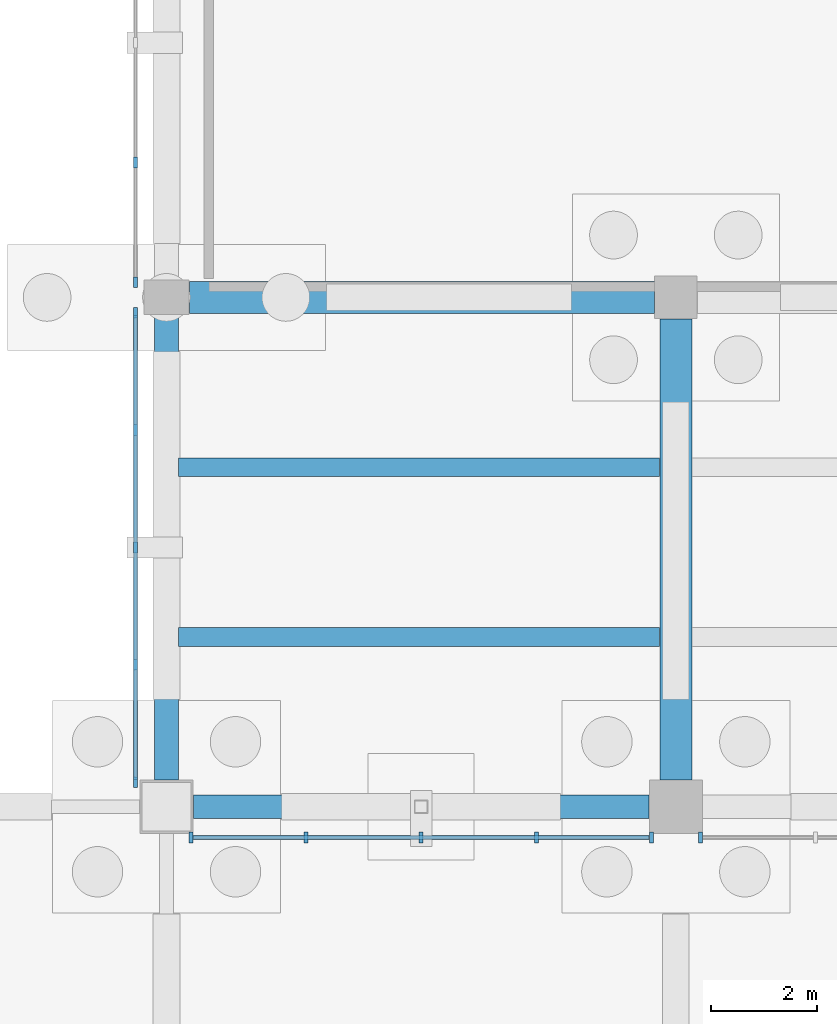
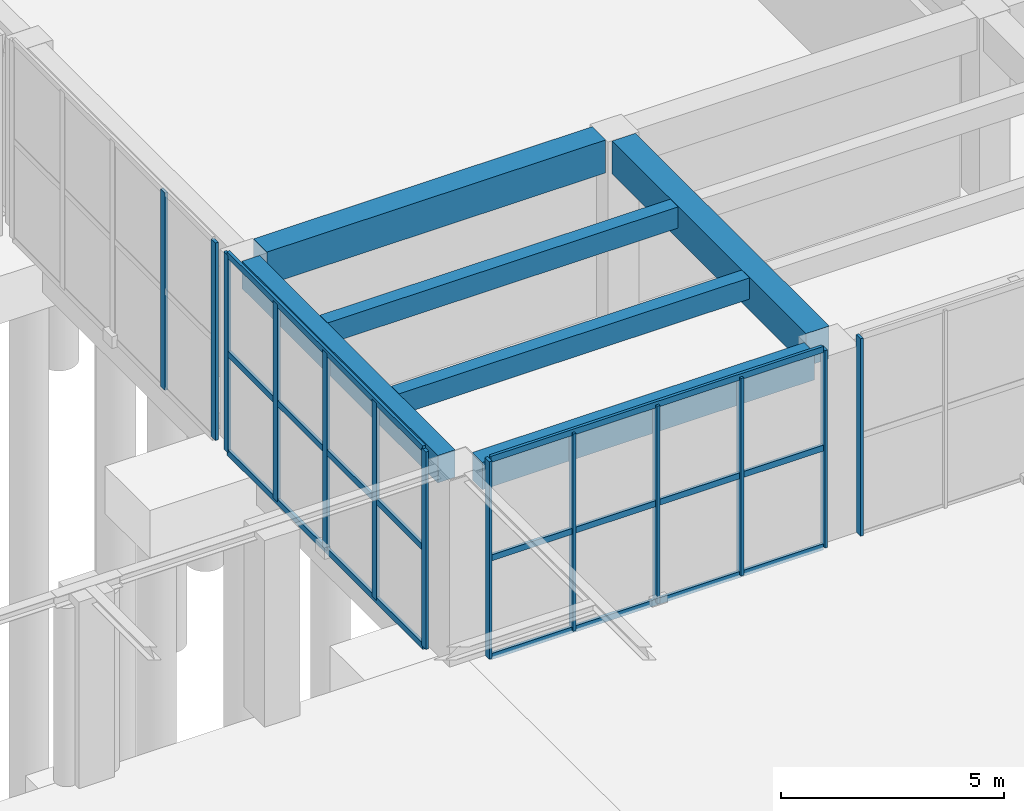
# One storey, part 12 of 51: 19 members, 6 beams, 4 elements without a shape of their own.
"""IFC4 building model written with IfcOpenShell, lengths in metres."""

from ifc_helpers import new_model, si_unit, direction, frame, origin, origin_2d, place, context, subcontext, project, spatial, rectangle, extrude, material, layer, layer_set, material_profile, profile_set, type_object, element, aggregate, save


model = new_model("IFC4")

# Units and contexts
model_context = context("Model", 3, precision=1e-05, world=origin(), true_north=direction((0.0, 1.0)))
body_context = subcontext(model_context, "Body", "Model", "MODEL_VIEW")
ifc_project = project(units=[si_unit("LENGTHUNIT", "METRE"), si_unit("AREAUNIT", "SQUARE_METRE"), si_unit("VOLUMEUNIT", "CUBIC_METRE"), si_unit("PLANEANGLEUNIT", "RADIAN"), si_unit("MASSUNIT", "GRAM", prefix="KILO")], contexts=[model_context])

# Site, building, storey
site_placement = place(None, origin())
site = spatial("IfcSite", under=ifc_project, at=site_placement, CompositionType="ELEMENT")
building_placement = place(site_placement, origin())
building = spatial("IfcBuilding", under=site, at=building_placement, Name="Bempovik Park Faculty of Sciences", CompositionType="ELEMENT")
storey_placement = place(building_placement, origin())
storey = spatial("IfcBuildingStorey", under=building, at=storey_placement, Name="L00", CompositionType="ELEMENT", Elevation=0.0)

# Beams
ifc_material_1 = material(Name="Concrete C35/45", Category="concrete")
ifc_material_profile_1 = material_profile(ifc_material_1, rectangle(XDim=0.35009765625, YDim=0.580078125, at=origin_2d()), Name="RC 350x580")
ifc_profile_set_1 = profile_set([ifc_material_profile_1], Name="Concrete C35/45")
beam_type_1 = type_object("IfcBeamType", Name="B-107 RC 350x580", PredefinedType="JOIST", material=ifc_profile_set_1)
for number, where, z_axis, x_axis, name in (
    (1, (60.23095703125, 23.0, 4.7900390625), (1.0, 0.0, 0.0), (0.0, 1.0, 0.0), "L00 Secondary Joist (60.0-69.6, y=23.00)"),
    (2, (60.23095703125, 26.199951171875, 4.7900390625), (1.0, 0.0, 0.0), (0.0, 1.0, 0.0), "L00 Secondary Joist (60.0-69.6, y=26.20)"),
):
    element("IfcBeam", number, at=place(storey_placement, frame(where, z_axis=z_axis, x_axis=x_axis)), inside=storey, type_object=beam_type_1, Name=name, PredefinedType="JOIST", context=body_context, shape_type="SweptSolid", body=[
        extrude(rectangle(XDim=0.35009765625, YDim=0.580078125, at=origin_2d()), origin(), (0.0, 0.0, 1.0), 9.06298828125),
    ])
ifc_material_2 = material(Name="Concrete C40/50", Category="concrete")
ifc_material_profile_2 = material_profile(ifc_material_2, rectangle(XDim=0.60009765625, YDim=0.89990234375, at=origin_2d()), Name="RC 600x900")
ifc_profile_set_2 = profile_set([ifc_material_profile_2], Name="Concrete C40/50")
beam_type_2 = type_object("IfcBeamType", Name="B-115 RC 600x900", PredefinedType="BEAM", material=ifc_profile_set_2)
beam_1_placement = place(storey_placement, frame((60.430908203125, 29.39990234375, 4.6298828125), z_axis=(1.0, 0.0, 0.0), x_axis=(0.0, 1.0, 0.0)))
element("IfcBeam", 3, at=beam_1_placement, inside=storey, type_object=beam_type_2, Name="L00 Beam X (60.0-69.6, y=29.4)", PredefinedType="BEAM", context=body_context, shape_type="SweptSolid", body=[
    extrude(rectangle(XDim=0.60009765625, YDim=0.89990234375, at=origin_2d()), origin(), (0.0, 0.0, 1.0), 8.76318359375),
])
beam_2_placement = place(storey_placement, frame((69.60009765625, 20.305908203125, 4.6298828125), z_axis=(0.0, 1.0, 0.0), x_axis=(-1.0, 0.0, 0.0)))
element("IfcBeam", 4, at=beam_2_placement, inside=storey, type_object=beam_type_2, Name="L00 Beam Y (x=69.6, 19.8-29.4)", PredefinedType="BEAM", context=body_context, shape_type="SweptSolid", body=[
    extrude(rectangle(XDim=0.60009765625, YDim=0.89990234375, at=origin_2d()), origin(), (0.0, 0.0, 1.0), 8.68798828125),
])
ifc_material_profile_3 = material_profile(ifc_material_2, rectangle(XDim=0.449951171875, YDim=0.75, at=origin_2d()), Name="RC 450x750")
ifc_profile_set_3 = profile_set([ifc_material_profile_3], Name="Concrete C40/50")
beam_type_3 = type_object("IfcBeamType", Name="B-130 RC 450x750", PredefinedType="SPANDREL", material=ifc_profile_set_3)
beam_3_placement = place(storey_placement, frame((60.506103515625, 19.800048828125, 4.705078125), z_axis=(1.0, 0.0, 0.0), x_axis=(0.0, 1.0, 0.0)))
element("IfcBeam", 5, at=beam_3_placement, inside=storey, type_object=beam_type_3, Name="L00 Beam X (60.0-69.6, y=19.8)", PredefinedType="SPANDREL", context=body_context, shape_type="SweptSolid", body=[
    extrude(rectangle(XDim=0.449951171875, YDim=0.75, at=origin_2d()), origin(), (0.0, 0.0, 1.0), 8.587890625),
])
beam_4_placement = place(storey_placement, frame((60.0, 20.305908203125, 4.705078125), z_axis=(0.0, 1.0, 0.0), x_axis=(-1.0, 0.0, 0.0)))
element("IfcBeam", 6, at=beam_4_placement, inside=storey, type_object=beam_type_3, Name="L00 Beam Y (x=60.0, 19.8-29.4)", PredefinedType="SPANDREL", context=body_context, shape_type="SweptSolid", body=[
    extrude(rectangle(XDim=0.449951171875, YDim=0.75, at=origin_2d()), origin(), (0.0, 0.0, 1.0), 8.76318359375),
])

# Curtain wall, members
ifc_material_3 = material(Name="Tempered laminated low-E glass", Category="glass")
ifc_layer = layer(ifc_material_3, 0.159912109375)
ifc_layer_set = layer_set([ifc_layer], Name="Tempered laminated low-E glass")
curtain_wall_type = type_object("IfcCurtainWallType", Name="CW-57 Curtain 7200x5100", PredefinedType="USERDEFINED", material=ifc_layer_set)
curtain_wall_1_placement = place(storey_placement, origin())
curtain_wall_1 = element("IfcCurtainWall", 7, at=curtain_wall_1_placement, inside=storey, type_object=curtain_wall_type, Name="L00 Recessed Entrance Foyer Curtain Wall (60.0-69.6)", ObjectType="UNITISED CURTAIN WALL", PredefinedType="USERDEFINED")
ifc_material_4 = material(Name="Anodised architectural bronze", Category="aluminium")
ifc_material_profile_4 = material_profile(ifc_material_4, rectangle(XDim=0.074951171875, YDim=0.199951171875, at=origin_2d()), Name="ALU-M 75x200")
ifc_profile_set_4 = profile_set([ifc_material_profile_4], Name="Anodised architectural bronze")
member_type_1 = type_object("IfcMemberType", Name="ML-17 ALU-M 75x200", PredefinedType="MULLION", material=ifc_profile_set_4)
member_1_placement = place(storey_placement, frame((60.4619140625, 19.219970703125, 0.0), z_axis=(0.0, 0.0, 1.0), x_axis=(1.0, 0.0, 0.0)))
member_1 = element("IfcMember", 8, at=member_1_placement, type_object=member_type_1, Name="CW-FOY-L00-198-600 Mullion 0", PredefinedType="MULLION", context=body_context, shape_type="SweptSolid", body=[
    extrude(rectangle(XDim=0.074951171875, YDim=0.199951171875, at=origin_2d()), origin(), (0.0, 0.0, 1.0), 5.39990234375),
])
member_2_placement = place(storey_placement, frame((62.631103515625, 19.219970703125, 0.0), z_axis=(0.0, 0.0, 1.0), x_axis=(1.0, 0.0, 0.0)))
member_2 = element("IfcMember", 9, at=member_2_placement, type_object=member_type_1, Name="CW-FOY-L00-198-600 Mullion 1", PredefinedType="MULLION", context=body_context, shape_type="SweptSolid", body=[
    extrude(rectangle(XDim=0.074951171875, YDim=0.199951171875, at=origin_2d()), origin(), (0.0, 0.0, 1.0), 5.39990234375),
])
member_3_placement = place(storey_placement, frame((64.800048828125, 19.219970703125, 0.0), z_axis=(0.0, 0.0, 1.0), x_axis=(1.0, 0.0, 0.0)))
member_3 = element("IfcMember", 10, at=member_3_placement, type_object=member_type_1, Name="CW-FOY-L00-198-600 Mullion 2", PredefinedType="MULLION", context=body_context, shape_type="SweptSolid", body=[
    extrude(rectangle(XDim=0.074951171875, YDim=0.199951171875, at=origin_2d()), origin(), (0.0, 0.0, 1.0), 5.39990234375),
])
member_4_placement = place(storey_placement, frame((66.968994140625, 19.219970703125, 0.0), z_axis=(0.0, 0.0, 1.0), x_axis=(1.0, 0.0, 0.0)))
member_4 = element("IfcMember", 11, at=member_4_placement, type_object=member_type_1, Name="CW-FOY-L00-198-600 Mullion 3", PredefinedType="MULLION", context=body_context, shape_type="SweptSolid", body=[
    extrude(rectangle(XDim=0.074951171875, YDim=0.199951171875, at=origin_2d()), origin(), (0.0, 0.0, 1.0), 5.39990234375),
])
member_5_placement = place(storey_placement, frame((69.137939453125, 19.219970703125, 0.0), z_axis=(0.0, 0.0, 1.0), x_axis=(1.0, 0.0, 0.0)))
member_5 = element("IfcMember", 12, at=member_5_placement, type_object=member_type_1, Name="CW-FOY-L00-198-600 Mullion 4", PredefinedType="MULLION", context=body_context, shape_type="SweptSolid", body=[
    extrude(rectangle(XDim=0.074951171875, YDim=0.199951171875, at=origin_2d()), origin(), (0.0, 0.0, 1.0), 5.39990234375),
])

# Curtain wall, member
curtain_wall_2_placement = place(storey_placement, origin())
curtain_wall_2 = element("IfcCurtainWall", 13, at=curtain_wall_2_placement, inside=storey, type_object=curtain_wall_type, Name="L00 Recessed Entrance Foyer Curtain Wall (69.6-79.2)", ObjectType="UNITISED CURTAIN WALL", PredefinedType="USERDEFINED")
member_6_placement = place(storey_placement, frame((70.06201171875, 19.219970703125, 0.0), z_axis=(0.0, 0.0, 1.0), x_axis=(1.0, 0.0, 0.0)))
member_6 = element("IfcMember", 14, at=member_6_placement, type_object=member_type_1, Name="CW-FOY-L00-198-696 Mullion 0", PredefinedType="MULLION", context=body_context, shape_type="SweptSolid", body=[
    extrude(rectangle(XDim=0.074951171875, YDim=0.199951171875, at=origin_2d()), origin(), (0.0, 0.0, 1.0), 5.39990234375),
])
aggregate(curtain_wall_2, [member_6])

# Curtain wall, members
curtain_wall_3_placement = place(storey_placement, origin())
curtain_wall_3 = element("IfcCurtainWall", 15, at=curtain_wall_3_placement, inside=storey, type_object=curtain_wall_type, Name="L00 Recessed Entrance Foyer Curtain Wall (19.8-29.4)", ObjectType="UNITISED CURTAIN WALL", PredefinedType="USERDEFINED")
member_7_placement = place(storey_placement, frame((59.419921875, 20.261962890625, 0.0), z_axis=(0.0, 0.0, 1.0), x_axis=(1.0, 0.0, 0.0)))
member_7 = element("IfcMember", 16, at=member_7_placement, type_object=member_type_1, Name="CW-FOY-L00-600-198 Mullion 0", PredefinedType="MULLION", context=body_context, shape_type="SweptSolid", body=[
    extrude(rectangle(XDim=0.074951171875, YDim=0.199951171875, at=origin_2d()), origin(), (0.0, 0.0, 1.0), 5.39990234375),
])
member_8_placement = place(storey_placement, frame((59.419921875, 22.474853515625, 0.0), z_axis=(0.0, 0.0, 1.0), x_axis=(1.0, 0.0, 0.0)))
member_8 = element("IfcMember", 17, at=member_8_placement, type_object=member_type_1, Name="CW-FOY-L00-600-198 Mullion 1", PredefinedType="MULLION", context=body_context, shape_type="SweptSolid", body=[
    extrude(rectangle(XDim=0.074951171875, YDim=0.199951171875, at=origin_2d()), origin(), (0.0, 0.0, 1.0), 5.39990234375),
])
member_9_placement = place(storey_placement, frame((59.419921875, 24.6875, 0.0), z_axis=(0.0, 0.0, 1.0), x_axis=(1.0, 0.0, 0.0)))
member_9 = element("IfcMember", 18, at=member_9_placement, type_object=member_type_1, Name="CW-FOY-L00-600-198 Mullion 2", PredefinedType="MULLION", context=body_context, shape_type="SweptSolid", body=[
    extrude(rectangle(XDim=0.074951171875, YDim=0.199951171875, at=origin_2d()), origin(), (0.0, 0.0, 1.0), 5.39990234375),
])
member_10_placement = place(storey_placement, frame((59.419921875, 26.900146484375, 0.0), z_axis=(0.0, 0.0, 1.0), x_axis=(1.0, 0.0, 0.0)))
member_10 = element("IfcMember", 19, at=member_10_placement, type_object=member_type_1, Name="CW-FOY-L00-600-198 Mullion 3", PredefinedType="MULLION", context=body_context, shape_type="SweptSolid", body=[
    extrude(rectangle(XDim=0.074951171875, YDim=0.199951171875, at=origin_2d()), origin(), (0.0, 0.0, 1.0), 5.39990234375),
])
member_11_placement = place(storey_placement, frame((59.419921875, 29.113037109375, 0.0), z_axis=(0.0, 0.0, 1.0), x_axis=(1.0, 0.0, 0.0)))
member_11 = element("IfcMember", 20, at=member_11_placement, type_object=member_type_1, Name="CW-FOY-L00-600-198 Mullion 4", PredefinedType="MULLION", context=body_context, shape_type="SweptSolid", body=[
    extrude(rectangle(XDim=0.074951171875, YDim=0.199951171875, at=origin_2d()), origin(), (0.0, 0.0, 1.0), 5.39990234375),
])

curtain_wall_4_placement = place(storey_placement, origin())
curtain_wall_4 = element("IfcCurtainWall", 21, at=curtain_wall_4_placement, inside=storey, type_object=curtain_wall_type, Name="L00 Recessed Entrance Foyer Curtain Wall (29.4-39.0)", ObjectType="UNITISED CURTAIN WALL", PredefinedType="USERDEFINED")
member_12_placement = place(storey_placement, frame((59.419921875, 29.68701171875, 0.0), z_axis=(0.0, 0.0, 1.0), x_axis=(1.0, 0.0, 0.0)))
member_12 = element("IfcMember", 22, at=member_12_placement, type_object=member_type_1, Name="CW-FOY-L00-600-294 Mullion 0", PredefinedType="MULLION", context=body_context, shape_type="SweptSolid", body=[
    extrude(rectangle(XDim=0.074951171875, YDim=0.199951171875, at=origin_2d()), origin(), (0.0, 0.0, 1.0), 5.39990234375),
])
member_13_placement = place(storey_placement, frame((59.419921875, 31.943603515625, 0.0), z_axis=(0.0, 0.0, 1.0), x_axis=(1.0, 0.0, 0.0)))
member_13 = element("IfcMember", 23, at=member_13_placement, type_object=member_type_1, Name="CW-FOY-L00-600-294 Mullion 1", PredefinedType="MULLION", context=body_context, shape_type="SweptSolid", body=[
    extrude(rectangle(XDim=0.074951171875, YDim=0.199951171875, at=origin_2d()), origin(), (0.0, 0.0, 1.0), 5.39990234375),
])
aggregate(curtain_wall_4, [member_12, member_13])

# Member
ifc_material_profile_5 = material_profile(ifc_material_4, rectangle(XDim=0.074951171875, YDim=0.1650390625, at=origin_2d()), Name="ALU-T 75x165")
ifc_profile_set_5 = profile_set([ifc_material_profile_5], Name="Anodised architectural bronze")
member_type_2 = type_object("IfcMemberType", Name="TR-15 ALU-T 75x165", PredefinedType="USERDEFINED", material=ifc_profile_set_5)
member_14_placement = place(storey_placement, frame((60.501953125, 19.219970703125, 0.0), z_axis=(1.0, 0.0, 0.0), x_axis=(0.0, 1.0, 0.0)))
member_14 = element("IfcMember", 24, at=member_14_placement, type_object=member_type_2, Name="CW-FOY-L00-198-600 Transom 0", ObjectType="TRANSOM", PredefinedType="USERDEFINED", context=body_context, shape_type="SweptSolid", body=[
    extrude(rectangle(XDim=0.074951171875, YDim=0.1650390625, at=origin_2d()), origin(), (0.0, 0.0, 1.0), 8.595947265625),
])

member_15_placement = place(storey_placement, frame((60.501953125, 19.219970703125, 2.699951171875), z_axis=(1.0, 0.0, 0.0), x_axis=(0.0, 1.0, 0.0)))
member_15 = element("IfcMember", 25, at=member_15_placement, type_object=member_type_2, Name="CW-FOY-L00-198-600 Transom 1", ObjectType="TRANSOM", PredefinedType="USERDEFINED", context=body_context, shape_type="SweptSolid", body=[
    extrude(rectangle(XDim=0.074951171875, YDim=0.1650390625, at=origin_2d()), origin(), (0.0, 0.0, 1.0), 8.595947265625),
])

member_16_placement = place(storey_placement, frame((60.501953125, 19.219970703125, 5.39990234375), z_axis=(1.0, 0.0, 0.0), x_axis=(0.0, 1.0, 0.0)))
member_16 = element("IfcMember", 26, at=member_16_placement, type_object=member_type_2, Name="CW-FOY-L00-198-600 Transom 2", ObjectType="TRANSOM", PredefinedType="USERDEFINED", context=body_context, shape_type="SweptSolid", body=[
    extrude(rectangle(XDim=0.074951171875, YDim=0.1650390625, at=origin_2d()), origin(), (0.0, 0.0, 1.0), 8.595947265625),
])

aggregate(curtain_wall_1, [member_1, member_2, member_3, member_4, member_5, member_14, member_15, member_16])

member_17_placement = place(storey_placement, frame((59.419921875, 20.302001953125, 0.0), z_axis=(0.0, 1.0, 0.0), x_axis=(-1.0, 0.0, 0.0)))
member_17 = element("IfcMember", 27, at=member_17_placement, type_object=member_type_2, Name="CW-FOY-L00-600-198 Transom 0", ObjectType="TRANSOM", PredefinedType="USERDEFINED", context=body_context, shape_type="SweptSolid", body=[
    extrude(rectangle(XDim=0.074951171875, YDim=0.1650390625, at=origin_2d()), origin(), (0.0, 0.0, 1.0), 8.77099609375),
])

member_18_placement = place(storey_placement, frame((59.419921875, 20.302001953125, 2.699951171875), z_axis=(0.0, 1.0, 0.0), x_axis=(-1.0, 0.0, 0.0)))
member_18 = element("IfcMember", 28, at=member_18_placement, type_object=member_type_2, Name="CW-FOY-L00-600-198 Transom 1", ObjectType="TRANSOM", PredefinedType="USERDEFINED", context=body_context, shape_type="SweptSolid", body=[
    extrude(rectangle(XDim=0.074951171875, YDim=0.1650390625, at=origin_2d()), origin(), (0.0, 0.0, 1.0), 8.77099609375),
])

member_19_placement = place(storey_placement, frame((59.419921875, 20.302001953125, 5.39990234375), z_axis=(0.0, 1.0, 0.0), x_axis=(-1.0, 0.0, 0.0)))
member_19 = element("IfcMember", 29, at=member_19_placement, type_object=member_type_2, Name="CW-FOY-L00-600-198 Transom 2", ObjectType="TRANSOM", PredefinedType="USERDEFINED", context=body_context, shape_type="SweptSolid", body=[
    extrude(rectangle(XDim=0.074951171875, YDim=0.1650390625, at=origin_2d()), origin(), (0.0, 0.0, 1.0), 8.77099609375),
])

aggregate(curtain_wall_3, [member_7, member_8, member_9, member_10, member_11, member_17, member_18, member_19])

save(model, "model.ifc")
